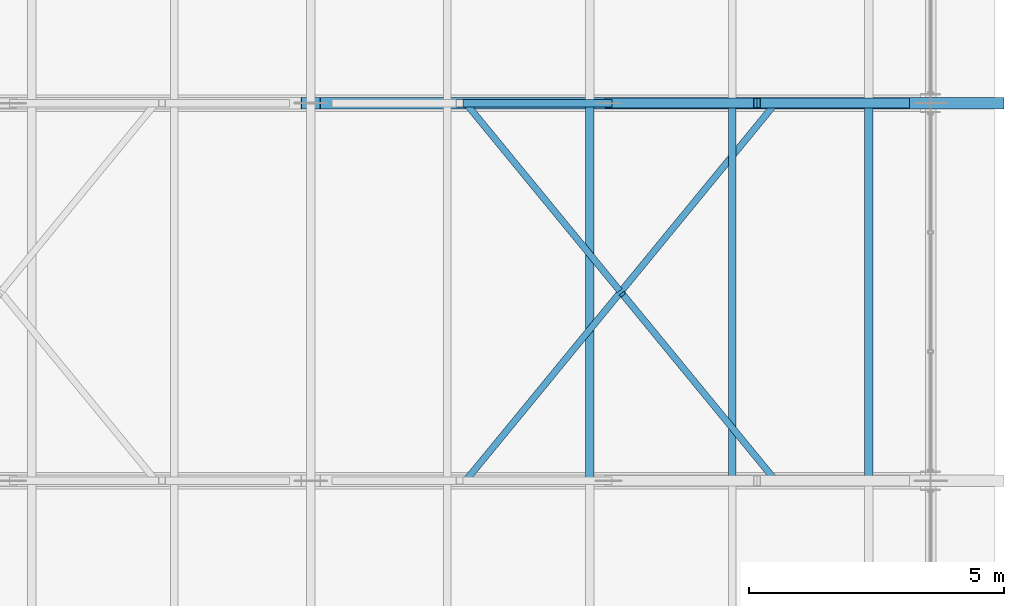
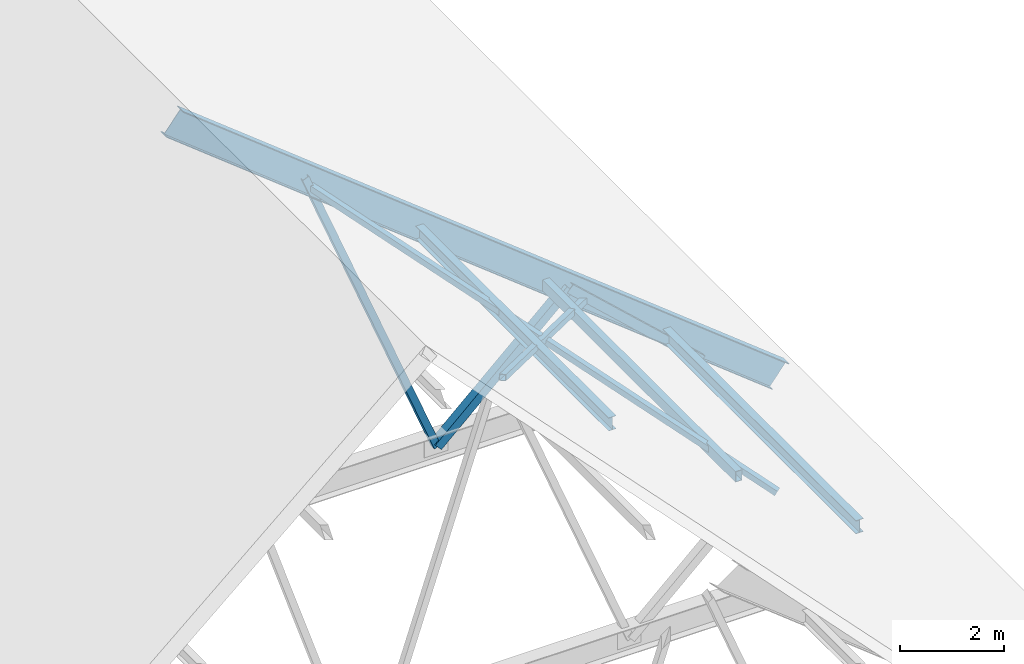
# One storey, part 19 of 44: 9 members, 1 beam.
"""IFC4 building model written with IfcOpenShell, lengths in metres."""

from ifc_helpers import new_model, si_unit, direction, frame, origin, origin_2d, place, context, subcontext, project, spatial, hollow_rectangle, i_section, extrude, material, material_profile, profile_set, type_object, element, save


model = new_model("IFC4")

# Units and contexts
model_context = context("Model", 3, precision=1e-05, world=origin(), true_north=direction((0.0, 1.0)))
body_context = subcontext(model_context, "Body", "Model", "MODEL_VIEW")
ifc_project = project(units=[si_unit("LENGTHUNIT", "METRE"), si_unit("AREAUNIT", "SQUARE_METRE"), si_unit("VOLUMEUNIT", "CUBIC_METRE"), si_unit("PLANEANGLEUNIT", "RADIAN"), si_unit("MASSUNIT", "GRAM", prefix="KILO")], contexts=[model_context])

# Site, building, storey
site_placement = place(None, origin())
site = spatial("IfcSite", under=ifc_project, at=site_placement, CompositionType="ELEMENT")
building_placement = place(site_placement, origin())
building = spatial("IfcBuilding", under=site, at=building_placement, Name="Cimatlan Art Gallery", CompositionType="ELEMENT")
storey_placement = place(building_placement, frame((0.0, 0.0, 26.39990234375)))
storey = spatial("IfcBuildingStorey", under=building, at=storey_placement, Name="Roof", CompositionType="ELEMENT", Elevation=26.39990234375)

# Beam
ifc_material_1 = material(Name="Steel ASTM A992 Grade 50", Category="steel")
ifc_material_profile_1 = material_profile(ifc_material_1, i_section(OverallWidth=0.22802734375, OverallDepth=0.60791015625, WebThickness=0.01123046875, FlangeThickness=0.017333984375, at=origin_2d()), Name="W24X76")
ifc_profile_set_1 = profile_set([ifc_material_profile_1], Name="Steel ASTM A992 Grade 50")
beam_type = type_object("IfcBeamType", Name="BM-TRS-RAF", PredefinedType="BEAM", material=ifc_profile_set_1)
beam_placement = place(storey_placement, frame((87.050048828125, 53.5, 11.0), z_axis=(0.784632771217, 0.0, -0.619960816772), x_axis=(0.0, 1.0, 0.0)))
element("IfcBeam", 1, at=beam_placement, inside=storey, type_object=beam_type, Name="TRS-05-RAF-E", PredefinedType="BEAM", context=body_context, shape_type="SweptSolid", body=[
    extrude(i_section(OverallWidth=0.22802734375, OverallDepth=0.60791015625, WebThickness=0.01123046875, FlangeThickness=0.017333984375, at=origin_2d()), origin(), (0.0, 0.0, 1.0), 17.077880859375),
])

# Members
ifc_material_2 = material(Name="Steel ASTM A500 Grade C", Category="steel")
ifc_material_profile_2 = material_profile(ifc_material_2, hollow_rectangle(XDim=0.14990234375, YDim=0.25, WallThickness=0.010009765625, at=origin_2d()), Name="HSS250X150X10")
ifc_profile_set_2 = profile_set([ifc_material_profile_2], Name="Steel ASTM A500 Grade C")
member_type_1 = type_object("IfcMemberType", Name="MBR-PUR-C250", PredefinedType="PURLIN", material=ifc_profile_set_2)
member_1_placement = place(storey_placement, frame((95.31201171875, 46.10009765625, 4.31201171875), z_axis=(0.0, 1.0, 0.0), x_axis=(-1.0, 0.0, 0.0)))
element("IfcMember", 2, at=member_1_placement, inside=storey, type_object=member_type_1, Name="PUR-V1-B4-E3", PredefinedType="PURLIN", context=body_context, shape_type="SweptSolid", body=[
    extrude(hollow_rectangle(XDim=0.14990234375, YDim=0.25, WallThickness=0.010009765625, at=origin_2d()), origin(), (0.0, 0.0, 1.0), 7.39990234375),
])
ifc_material_profile_3 = material_profile(ifc_material_1, i_section(OverallWidth=0.1650390625, OverallDepth=0.31005859375, WebThickness=0.005859375, FlangeThickness=0.009765625, at=origin_2d()), Name="W12X26")
ifc_profile_set_3 = profile_set([ifc_material_profile_3], Name="Steel ASTM A992 Grade 50")
member_type_2 = type_object("IfcMemberType", Name="MBR-PUR-W12", PredefinedType="PURLIN", material=ifc_profile_set_3)
for number, where, z_axis, x_axis, name in (
    (3, (92.517578125, 46.10009765625, 6.52001953125), (0.0, 1.0, 0.0), (-1.0, 0.0, 0.0), "PUR-V1-B4-E2"),
    (4, (97.985107421875, 46.10009765625, 2.2001953125), (0.0, 1.0, 0.0), (-1.0, 0.0, 0.0), "PUR-V1-B4-E4"),
):
    element("IfcMember", number, at=place(storey_placement, frame(where, z_axis=z_axis, x_axis=x_axis)), inside=storey, type_object=member_type_2, Name=name, PredefinedType="PURLIN", context=body_context, shape_type="SweptSolid", body=[
        extrude(i_section(OverallWidth=0.1650390625, OverallDepth=0.31005859375, WebThickness=0.005859375, FlangeThickness=0.009765625, at=origin_2d()), origin(), (0.0, 0.0, 1.0), 7.39990234375),
    ])
ifc_material_profile_4 = material_profile(ifc_material_2, hollow_rectangle(XDim=0.1298828125, YDim=0.1298828125, WallThickness=0.008056640625, at=origin_2d()), Name="HSS130X130X8")
ifc_profile_set_4 = profile_set([ifc_material_profile_4], Name="Steel ASTM A500 Grade C")
member_type_3 = type_object("IfcMemberType", Name="MBR-TRS-BRACE", PredefinedType="BRACE", material=ifc_profile_set_4)
member_2_placement = place(storey_placement, frame((90.08740234375, 46.10009765625, 8.440185546875), z_axis=(0.567237903437, 0.690925126715, -0.448178123271), x_axis=(-0.772895072695, 0.634533849849, 0.0)))
element("IfcMember", 5, at=member_2_placement, inside=storey, type_object=member_type_3, Name="BRC-V1-B4-E1", PredefinedType="BRACE", context=body_context, shape_type="SweptSolid", body=[
    extrude(hollow_rectangle(XDim=0.1298828125, YDim=0.1298828125, WallThickness=0.008056640625, at=origin_2d()), origin(), (0.0, 0.0, 1.0), 10.710205078125),
])
member_3_placement = place(storey_placement, frame((96.16259765625, 46.10009765625, 3.64013671875), z_axis=(-0.567228306391, 0.690920077028, 0.448198053976), x_axis=(-0.772898063386, -0.634530207015, 0.0)))
element("IfcMember", 6, at=member_3_placement, inside=storey, type_object=member_type_3, Name="BRC-V1-B4-E2A", PredefinedType="BRACE", context=body_context, shape_type="SweptSolid", body=[
    extrude(hollow_rectangle(XDim=0.1298828125, YDim=0.1298828125, WallThickness=0.008056640625, at=origin_2d()), origin(), (0.0, 0.0, 1.0), 5.289794921875),
])
member_4_placement = place(storey_placement, frame((93.087890625, 49.844970703125, 6.069091796875), z_axis=(-0.567198485816, 0.690929904894, 0.448220642331), x_axis=(-0.772918849774, -0.63450488703, 0.0)))
element("IfcMember", 7, at=member_4_placement, inside=storey, type_object=member_type_3, Name="BRC-V1-B4-E2B", PredefinedType="BRACE", context=body_context, shape_type="SweptSolid", body=[
    extrude(hollow_rectangle(XDim=0.1298828125, YDim=0.1298828125, WallThickness=0.008056640625, at=origin_2d()), origin(), (0.0, 0.0, 1.0), 5.2900390625),
])
ifc_material_profile_5 = material_profile(ifc_material_2, hollow_rectangle(XDim=0.199951171875, YDim=0.199951171875, WallThickness=0.010009765625, at=origin_2d()), Name="HSS200X200X10")
ifc_profile_set_5 = profile_set([ifc_material_profile_5], Name="Steel ASTM A500 Grade C")
member_type_4 = type_object("IfcMemberType", Name="MBR-TRS-DIAG-1", PredefinedType="BRACE", material=ifc_profile_set_5)
for number, where, z_axis, x_axis, name in (
    (8, (98.714111328125, 53.5, 1.400146484375), (-0.735270574228, 0.0, 0.677773695768), (0.0, -1.0, 0.0), "TRS-05-DE-1"),
    (9, (95.798095703125, 53.5, 4.088134765625), (-0.735270574228, 0.0, -0.677773695768), (0.0, -1.0, 0.0), "TRS-05-DE-2"),
):
    element("IfcMember", number, at=place(storey_placement, frame(where, z_axis=z_axis, x_axis=x_axis)), inside=storey, type_object=member_type_4, Name=name, PredefinedType="BRACE", context=body_context, shape_type="SweptSolid", body=[
        extrude(hollow_rectangle(XDim=0.199951171875, YDim=0.199951171875, WallThickness=0.010009765625, at=origin_2d()), origin(), (0.0, 0.0, 1.0), 3.9658203125),
    ])
ifc_material_profile_6 = material_profile(ifc_material_2, hollow_rectangle(XDim=0.14990234375, YDim=0.14990234375, WallThickness=0.008056640625, at=origin_2d()), Name="HSS150X150X8")
ifc_profile_set_6 = profile_set([ifc_material_profile_6], Name="Steel ASTM A500 Grade C")
member_type_5 = type_object("IfcMemberType", Name="MBR-TRS-DIAG-2", PredefinedType="BRACE", material=ifc_profile_set_6)
member_5_placement = place(storey_placement, frame((92.882080078125, 53.5, 1.400146484375), z_axis=(-0.371133507913, 0.0, 0.928579516953), x_axis=(0.0, -1.0, 0.0)))
element("IfcMember", 10, at=member_5_placement, inside=storey, type_object=member_type_5, Name="TRS-05-DE-3", PredefinedType="BRACE", context=body_context, shape_type="SweptSolid", body=[
    extrude(hollow_rectangle(XDim=0.14990234375, YDim=0.14990234375, WallThickness=0.008056640625, at=origin_2d()), origin(), (0.0, 0.0, 1.0), 7.85693359375),
])

save(model, "model.ifc")
